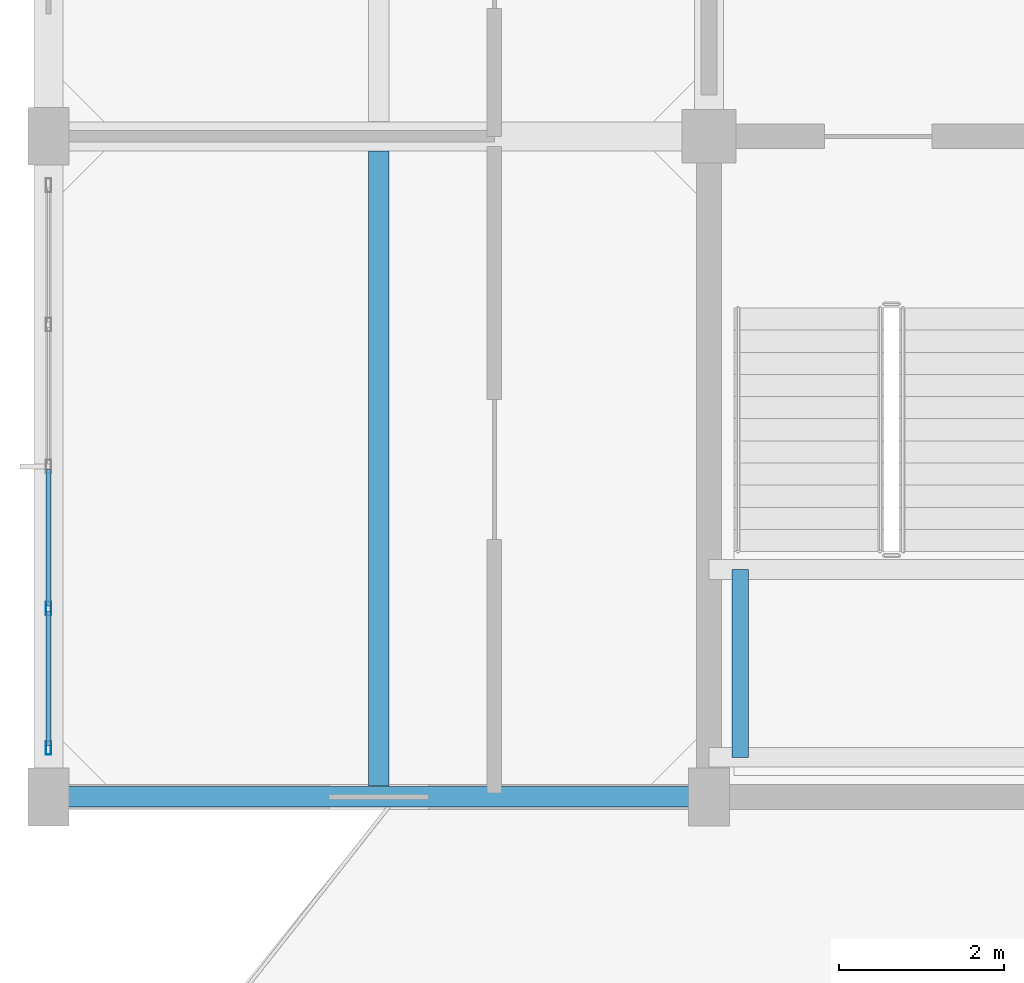
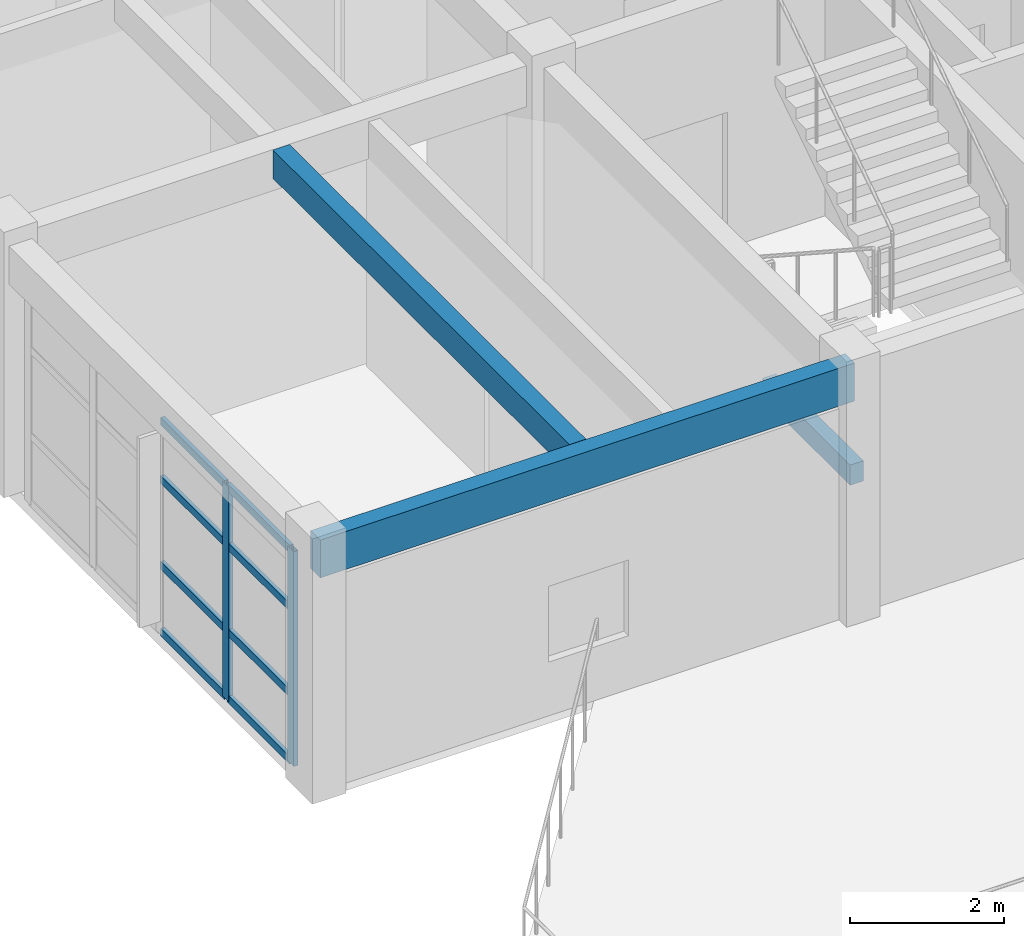
# One storey, part 2 of 20: 10 members, 3 beams, 1 element without a shape of its own.
"""IFC4 building model written with IfcOpenShell, lengths in metres."""

import ifcopenshell
import ifcopenshell.guid

model = None  # the IFC model being written
_history = None  # IfcOwnerHistory: only IFC2X3 demands one
_inside = {}  # id of a spatial element -> (the spatial element, [elements in it])
_under = {}  # id of a project, library or spatial element -> (it, [spatial elements below it])
_declared = {}  # id of a project -> (the project, [libraries it declares])
_typed = {}  # id of a type object -> (the type object, [elements of that type])
_made_of = {}  # id of a material, layer set ... -> (it, [elements and type objects made of it])


def new_model(schema):
    """Start an empty IFC model of exactly this schema.

    Asked for "IFC4X3", IfcOpenShell would pick the latest addendum, in which some entities
    have other attributes; the version numbers below select the first issue.
    IFC2X3 requires an IfcOwnerHistory on every rooted entity: one is made here for all.
    """
    global model, _history
    if schema == "IFC4X3":
        model = ifcopenshell.file(schema_version=(4, 3, 0, 0))
    else:
        model = ifcopenshell.file(schema=schema)
    _inside.clear()
    _under.clear()
    _declared.clear()
    _typed.clear()
    _made_of.clear()
    _history = None
    if model.schema == "IFC2X3":
        org = make("IfcOrganization", Name="unknown")
        user = make(
            "IfcPersonAndOrganization",
            ThePerson=make("IfcPerson", FamilyName="unknown"),
            TheOrganization=org,
        )
        app = make(
            "IfcApplication",
            ApplicationDeveloper=org,
            Version="unknown",
            ApplicationFullName="unknown",
            ApplicationIdentifier="unknown",
        )
        _history = make(
            "IfcOwnerHistory",
            OwningUser=user,
            OwningApplication=app,
            ChangeAction="ADDED",
            CreationDate=0,
        )
    return model


def make(cls, **values):
    """One entity of the class cls with the attributes given. An attribute that is None is left unset."""
    return model.create_entity(
        cls, **{name: value for name, value in values.items() if value is not None}
    )


def rooted(cls, **values):
    """An entity with a GlobalId (a new one), such as an element, a storey or a relation."""
    return make(cls, GlobalId=ifcopenshell.guid.new(), OwnerHistory=_history, **values)


def si_unit(unit_type, name, prefix=None):
    """IfcSIUnit, for example si_unit("LENGTHUNIT", "METRE", prefix="MILLI")."""
    return make("IfcSIUnit", UnitType=unit_type, Prefix=prefix, Name=name)


def assignment(units):
    """IfcUnitAssignment: the units of a project."""
    return None if units is None else make("IfcUnitAssignment", Units=units)


def point(xyz):
    """IfcCartesianPoint."""
    return None if xyz is None else make("IfcCartesianPoint", Coordinates=xyz)


def direction(xyz):
    """IfcDirection."""
    return None if xyz is None else make("IfcDirection", DirectionRatios=xyz)


def frame(location, z_axis=None, x_axis=None):
    """IfcAxis2Placement3D, a coordinate frame: its origin and axes. An axis left out is left unset."""
    return make(
        "IfcAxis2Placement3D",
        Location=point(location),
        Axis=direction(z_axis),
        RefDirection=direction(x_axis),
    )


def frame_2d(location, x_axis=None):
    """IfcAxis2Placement2D, a coordinate frame in the plane: its origin and x axis."""
    return make(
        "IfcAxis2Placement2D", Location=point(location), RefDirection=direction(x_axis)
    )


def origin():
    """The frame at (0, 0, 0) with its axes left unset."""
    return frame((0.0, 0.0, 0.0))


def origin_2d():
    """The frame at (0, 0) in the plane with its x axis left unset."""
    return frame_2d((0.0, 0.0))


def place(relative_to, where):
    """IfcLocalPlacement: puts the frame where relative to a parent placement (None: the world)."""
    return make(
        "IfcLocalPlacement", PlacementRelTo=relative_to, RelativePlacement=where
    )


def context(
    kind, dimensions, precision=None, world=None, true_north=None, identifier=None
):
    """IfcGeometricRepresentationContext, for example the 3D "Model" context."""
    return make(
        "IfcGeometricRepresentationContext",
        ContextIdentifier=identifier,
        ContextType=kind,
        CoordinateSpaceDimension=dimensions,
        Precision=precision,
        WorldCoordinateSystem=world,
        TrueNorth=true_north,
    )


def subcontext(parent, identifier, kind, view, scale=None):
    """IfcGeometricRepresentationSubContext, for example "Body" below "Model"."""
    return make(
        "IfcGeometricRepresentationSubContext",
        ContextIdentifier=identifier,
        ContextType=kind,
        ParentContext=parent,
        TargetScale=scale,
        TargetView=view,
    )


def project(units=None, contexts=None):
    """IfcProject with its units and contexts."""
    return rooted(
        "IfcProject",
        Name="project",
        RepresentationContexts=contexts,
        UnitsInContext=assignment(units),
    )


def spatial(cls, under=None, at=None, **own):
    """A site, building, storey or space (cls), placed at a placement, below another one or the project."""
    s = rooted(cls, ObjectPlacement=at, **own)
    if under is not None:
        _under.setdefault(under.id(), (under, []))[1].append(s)
    return s


def profile(cls, at=None, kind="AREA", **sizes):
    """A parametric profile (cls). Its sizes go by their IFC names, for example OverallWidth=200.0."""
    return make(cls, ProfileType=kind, Position=at, **sizes)


def rectangle(**sizes):
    """IfcRectangleProfileDef."""
    return profile("IfcRectangleProfileDef", **sizes)


def hollow_rectangle(**sizes):
    """IfcRectangleHollowProfileDef."""
    return profile("IfcRectangleHollowProfileDef", **sizes)


def extrude(swept, where, along, depth):
    """IfcExtrudedAreaSolid: the profile swept, set in the frame where, extruded along a direction by depth."""
    return make(
        "IfcExtrudedAreaSolid",
        SweptArea=swept,
        Position=where,
        ExtrudedDirection=direction(along),
        Depth=depth,
    )


def shape(context_of_items, identifier, shape_type, items):
    """IfcShapeRepresentation: the items that make up one representation, for example the "Body"."""
    return make(
        "IfcShapeRepresentation",
        ContextOfItems=context_of_items,
        RepresentationIdentifier=identifier,
        RepresentationType=shape_type,
        Items=items,
    )


def material(Name=None, Category=None):
    """IfcMaterial."""
    return make("IfcMaterial", Name=Name, Category=Category)


def layer(
    of_material, thickness, ventilated=None, Name=None, Category=None, Priority=None
):
    """IfcMaterialLayer: one layer of a wall or slab, of a material (None: an air gap)."""
    return make(
        "IfcMaterialLayer",
        Material=of_material,
        LayerThickness=thickness,
        IsVentilated=ventilated,
        Name=Name,
        Category=Category,
        Priority=Priority,
    )


def layer_set(layers, Name=None):
    """IfcMaterialLayerSet."""
    return make("IfcMaterialLayerSet", MaterialLayers=layers, LayerSetName=Name)


def material_profile(
    of_material, cross_section, Name=None, Category=None, Priority=None
):
    """IfcMaterialProfile: a cross section and its material."""
    return make(
        "IfcMaterialProfile",
        Name=Name,
        Material=of_material,
        Profile=cross_section,
        Priority=Priority,
        Category=Category,
    )


def profile_set(profiles, Name=None, composite=None):
    """IfcMaterialProfileSet."""
    return make(
        "IfcMaterialProfileSet",
        Name=Name,
        MaterialProfiles=profiles,
        CompositeProfile=composite,
    )


def made_of(thing, what):
    """Note that an element or type object is made of a material, layer set ...; save() writes the relation."""
    if what is not None:
        _made_of.setdefault(what.id(), (what, []))[1].append(thing)
    return thing


def type_object(cls, material=None, **own):
    """A type object (cls), such as IfcWallType, which elements share."""
    return made_of(rooted(cls, **own), material)


def element(
    cls,
    number,
    at=None,
    inside=None,
    cuts=None,
    type_object=None,
    material=None,
    context=None,
    identifier="Body",
    shape_type=None,
    held_by="IfcProductDefinitionShape",
    body=None,
    shapes=None,
    **own,
):
    """One element of the class cls, such as IfcWall. Its Tag is "e" and its number.

    at: its placement. inside: the storey or other place that contains it. cuts: it is an
    opening in that element (IfcRelVoidsElement). A single representation is given by context,
    identifier, shape_type and body (its items); several are given by shapes. held_by: the class
    of the entity that holds the representations. save() writes the other relations.
    """
    e = rooted(cls, Tag="e%d" % number, ObjectPlacement=at, **own)
    if body is not None:
        shapes = [shape(context, identifier, shape_type, body)]
    if shapes is not None:
        e.Representation = make(held_by, Representations=shapes)
    if inside is not None:
        _inside.setdefault(inside.id(), (inside, []))[1].append(e)
    if cuts is not None:
        rooted(
            "IfcRelVoidsElement", RelatingBuildingElement=cuts, RelatedOpeningElement=e
        )
    if type_object is not None:
        _typed.setdefault(type_object.id(), (type_object, []))[1].append(e)
    return made_of(e, material)


def aggregate(whole, parts):
    """IfcRelAggregates: a whole, such as a stair, and the parts it consists of."""
    return rooted("IfcRelAggregates", RelatingObject=whole, RelatedObjects=parts)


def save(model, path):
    """Write the relations noted so far, then the file.

    IfcRelAggregates (storeys below a building ...), IfcRelContainedInSpatialStructure (elements
    in a storey), IfcRelDefinesByType, IfcRelAssociatesMaterial and IfcRelDeclares: one each for
    every whole, place, type object, material and project.
    """
    for whole, parts in _under.values():
        aggregate(whole, parts)
    for where, things in _inside.values():
        rooted(
            "IfcRelContainedInSpatialStructure",
            RelatedElements=things,
            RelatingStructure=where,
        )
    for kind, things in _typed.values():
        rooted("IfcRelDefinesByType", RelatedObjects=things, RelatingType=kind)
    for what, things in _made_of.values():
        rooted("IfcRelAssociatesMaterial", RelatedObjects=things, RelatingMaterial=what)
    for by, libraries in _declared.values():
        rooted("IfcRelDeclares", RelatingContext=by, RelatedDefinitions=libraries)
    model.write(path)


model = new_model("IFC4")

# Units and contexts
model_context = context("Model", 3, precision=1e-05, world=origin(), true_north=direction((0.0, 1.0)))
body_context = subcontext(model_context, "Body", "Model", "MODEL_VIEW")
ifc_project = project(units=[si_unit("LENGTHUNIT", "METRE"), si_unit("AREAUNIT", "SQUARE_METRE"), si_unit("VOLUMEUNIT", "CUBIC_METRE"), si_unit("PLANEANGLEUNIT", "RADIAN"), si_unit("MASSUNIT", "GRAM", prefix="KILO")], contexts=[model_context])

# Site, building, storey
site_placement = place(None, origin())
site = spatial("IfcSite", under=ifc_project, at=site_placement, CompositionType="ELEMENT")
building_placement = place(site_placement, origin())
building = spatial("IfcBuilding", under=site, at=building_placement, Name="Canggui Botanical Conservatory", CompositionType="ELEMENT")
storey_placement = place(building_placement, frame((0.0, 0.0, 57.0)))
storey = spatial("IfcBuildingStorey", under=building, at=storey_placement, Name="L14", CompositionType="ELEMENT", Elevation=57.0)

# Beams
ifc_material_1 = material(Name="Concrete C35", Category="concrete")
ifc_material_profile_1 = material_profile(ifc_material_1, rectangle(XDim=0.25, YDim=0.449951171875, at=origin_2d()), Name="RB 250x450")
ifc_profile_set_1 = profile_set([ifc_material_profile_1], Name="Concrete C35")
beam_type_1 = type_object("IfcBeamType", Name="BM-JST05", PredefinedType="JOIST", material=ifc_profile_set_1)
beam_1_placement = place(storey_placement, frame((150.0, 42.1298828125, 3.735107421875), z_axis=(0.0, 1.0, 0.0), x_axis=(-1.0, 0.0, 0.0)))
element("IfcBeam", 1, at=beam_1_placement, inside=storey, type_object=beam_type_1, Name="Secondary Floor Joist L14-1-1", PredefinedType="JOIST", context=body_context, shape_type="SweptSolid", body=[
    extrude(rectangle(XDim=0.25, YDim=0.449951171875, at=origin_2d()), origin(), (0.0, 0.0, 1.0), 7.690185546875),
])
ifc_material_profile_2 = material_profile(ifc_material_1, rectangle(XDim=0.199951171875, YDim=0.320068359375, at=origin_2d()), Name="RB 200x320")
ifc_profile_set_2 = profile_set([ifc_material_profile_2], Name="Concrete C35")
beam_type_2 = type_object("IfcBeamType", Name="BM-LIN02", PredefinedType="LINTEL", material=ifc_profile_set_2)
beam_2_placement = place(storey_placement, frame((154.3798828125, 42.47998046875, 1.719970703125), z_axis=(0.0, 1.0, 0.0), x_axis=(-1.0, 0.0, 0.0)))
element("IfcBeam", 2, at=beam_2_placement, inside=storey, type_object=beam_type_2, Name="ST-T1 Half-Landing Edge Ledger L14-1.3", PredefinedType="LINTEL", context=body_context, shape_type="SweptSolid", body=[
    extrude(rectangle(XDim=0.199951171875, YDim=0.320068359375, at=origin_2d()), origin(), (0.0, 0.0, 1.0), 2.2724609375),
])
ifc_material_profile_3 = material_profile(ifc_material_1, rectangle(XDim=0.25, YDim=0.60009765625, at=origin_2d()), Name="RB 250x600")
ifc_profile_set_3 = profile_set([ifc_material_profile_3], Name="Concrete C35")
beam_type_3 = type_object("IfcBeamType", Name="BM-SPD02", PredefinedType="SPANDREL", material=ifc_profile_set_3)
beam_3_placement = place(storey_placement, frame((146.0, 42.0, 3.659912109375), z_axis=(1.0, 0.0, 0.0), x_axis=(0.0, 1.0, 0.0)))
element("IfcBeam", 3, at=beam_3_placement, inside=storey, type_object=beam_type_3, Name="Frame Girder L14 Y42-1", PredefinedType="SPANDREL", context=body_context, shape_type="SweptSolid", body=[
    extrude(rectangle(XDim=0.25, YDim=0.60009765625, at=origin_2d()), origin(), (0.0, 0.0, 1.0), 8.0),
])

# Curtain wall, members
ifc_material_2 = material(Name="Thermally Broken Aluminium", Category="aluminium")
ifc_layer = layer(ifc_material_2, 0.1650390625, Name="Thermally Broken Aluminium", Category="aluminium")
ifc_layer_set = layer_set([ifc_layer], Name="Thermally Broken Aluminium")
curtain_wall_type = type_object("IfcCurtainWallType", Name="CW-UNIT-B", PredefinedType="USERDEFINED", material=ifc_layer_set)
curtain_wall_placement = place(storey_placement, origin())
curtain_wall = element("IfcCurtainWall", 4, at=curtain_wall_placement, inside=storey, type_object=curtain_wall_type, Name="Facade Curtain Wall CW-TWR-L14-04", ObjectType="UNITISED CURTAIN WALL", PredefinedType="USERDEFINED")
ifc_material_profile_4 = material_profile(ifc_material_2, hollow_rectangle(XDim=0.06494140625, YDim=0.1650390625, WallThickness=0.00390625, at=origin_2d()), Name="CWM 65x165x4")
ifc_profile_set_4 = profile_set([ifc_material_profile_4], Name="Thermally Broken Aluminium")
member_type_1 = type_object("IfcMemberType", Name="CWM-02", PredefinedType="MULLION", material=ifc_profile_set_4)
member_1_placement = place(storey_placement, frame((146.0, 42.592529296875, 0.0), z_axis=(0.0, 0.0, 1.0), x_axis=(-1.0, 0.0, 0.0)))
member_1 = element("IfcMember", 5, at=member_1_placement, type_object=member_type_1, Name="CW-02 mullion 1", PredefinedType="MULLION", context=body_context, shape_type="SweptSolid", body=[
    extrude(hollow_rectangle(XDim=0.06494140625, YDim=0.1650390625, WallThickness=0.00390625, at=origin_2d()), origin(), (0.0, 0.0, 1.0), 3.39990234375),
])
member_2_placement = place(storey_placement, frame((146.0, 44.280029296875, 0.0), z_axis=(0.0, 0.0, 1.0), x_axis=(-1.0, 0.0, 0.0)))
member_2 = element("IfcMember", 6, at=member_2_placement, type_object=member_type_1, Name="CW-02 mullion 2", PredefinedType="MULLION", context=body_context, shape_type="SweptSolid", body=[
    extrude(hollow_rectangle(XDim=0.06494140625, YDim=0.1650390625, WallThickness=0.00390625, at=origin_2d()), origin(), (0.0, 0.0, 1.0), 3.39990234375),
])
ifc_material_profile_5 = material_profile(ifc_material_2, hollow_rectangle(XDim=0.06005859375, YDim=0.1201171875, WallThickness=0.00341796875, at=origin_2d()), Name="CWT 60x120x3.5")
ifc_profile_set_5 = profile_set([ifc_material_profile_5], Name="Thermally Broken Aluminium")
member_type_2 = type_object("IfcMemberType", Name="CWT-02", PredefinedType="USERDEFINED", material=ifc_profile_set_5)
member_3_placement = place(storey_placement, frame((146.0, 42.625, 0.030029296875), z_axis=(0.0, 1.0, 0.0), x_axis=(-1.0, 0.0, 0.0)))
member_3 = element("IfcMember", 7, at=member_3_placement, type_object=member_type_2, Name="CW-02 transom 1.1", ObjectType="TRANSOM", PredefinedType="USERDEFINED", context=body_context, shape_type="SweptSolid", body=[
    extrude(hollow_rectangle(XDim=0.06005859375, YDim=0.1201171875, WallThickness=0.00341796875, at=origin_2d()), origin(), (0.0, 0.0, 1.0), 1.62255859375),
])
member_4_placement = place(storey_placement, frame((146.0, 42.625, 1.087890625), z_axis=(0.0, 1.0, 0.0), x_axis=(-1.0, 0.0, 0.0)))
member_4 = element("IfcMember", 8, at=member_4_placement, type_object=member_type_2, Name="CW-02 transom 1.2", ObjectType="TRANSOM", PredefinedType="USERDEFINED", context=body_context, shape_type="SweptSolid", body=[
    extrude(hollow_rectangle(XDim=0.06005859375, YDim=0.1201171875, WallThickness=0.00341796875, at=origin_2d()), origin(), (0.0, 0.0, 1.0), 1.62255859375),
])
member_5_placement = place(storey_placement, frame((146.0, 42.625, 2.447998046875), z_axis=(0.0, 1.0, 0.0), x_axis=(-1.0, 0.0, 0.0)))
member_5 = element("IfcMember", 9, at=member_5_placement, type_object=member_type_2, Name="CW-02 transom 1.3", ObjectType="TRANSOM", PredefinedType="USERDEFINED", context=body_context, shape_type="SweptSolid", body=[
    extrude(hollow_rectangle(XDim=0.06005859375, YDim=0.1201171875, WallThickness=0.00341796875, at=origin_2d()), origin(), (0.0, 0.0, 1.0), 1.62255859375),
])
member_6_placement = place(storey_placement, frame((146.0, 42.625, 3.3701171875), z_axis=(0.0, 1.0, 0.0), x_axis=(-1.0, 0.0, 0.0)))
member_6 = element("IfcMember", 10, at=member_6_placement, type_object=member_type_2, Name="CW-02 transom 1.4", ObjectType="TRANSOM", PredefinedType="USERDEFINED", context=body_context, shape_type="SweptSolid", body=[
    extrude(hollow_rectangle(XDim=0.06005859375, YDim=0.1201171875, WallThickness=0.00341796875, at=origin_2d()), origin(), (0.0, 0.0, 1.0), 1.62255859375),
])
member_7_placement = place(storey_placement, frame((146.0, 44.3125, 0.030029296875), z_axis=(0.0, 1.0, 0.0), x_axis=(-1.0, 0.0, 0.0)))
member_7 = element("IfcMember", 11, at=member_7_placement, type_object=member_type_2, Name="CW-02 transom 2.1", ObjectType="TRANSOM", PredefinedType="USERDEFINED", context=body_context, shape_type="SweptSolid", body=[
    extrude(hollow_rectangle(XDim=0.06005859375, YDim=0.1201171875, WallThickness=0.00341796875, at=origin_2d()), origin(), (0.0, 0.0, 1.0), 1.655029296875),
])
member_8_placement = place(storey_placement, frame((146.0, 44.3125, 1.087890625), z_axis=(0.0, 1.0, 0.0), x_axis=(-1.0, 0.0, 0.0)))
member_8 = element("IfcMember", 12, at=member_8_placement, type_object=member_type_2, Name="CW-02 transom 2.2", ObjectType="TRANSOM", PredefinedType="USERDEFINED", context=body_context, shape_type="SweptSolid", body=[
    extrude(hollow_rectangle(XDim=0.06005859375, YDim=0.1201171875, WallThickness=0.00341796875, at=origin_2d()), origin(), (0.0, 0.0, 1.0), 1.655029296875),
])
member_9_placement = place(storey_placement, frame((146.0, 44.3125, 2.447998046875), z_axis=(0.0, 1.0, 0.0), x_axis=(-1.0, 0.0, 0.0)))
member_9 = element("IfcMember", 13, at=member_9_placement, type_object=member_type_2, Name="CW-02 transom 2.3", ObjectType="TRANSOM", PredefinedType="USERDEFINED", context=body_context, shape_type="SweptSolid", body=[
    extrude(hollow_rectangle(XDim=0.06005859375, YDim=0.1201171875, WallThickness=0.00341796875, at=origin_2d()), origin(), (0.0, 0.0, 1.0), 1.655029296875),
])
member_10_placement = place(storey_placement, frame((146.0, 44.3125, 3.3701171875), z_axis=(0.0, 1.0, 0.0), x_axis=(-1.0, 0.0, 0.0)))
member_10 = element("IfcMember", 14, at=member_10_placement, type_object=member_type_2, Name="CW-02 transom 2.4", ObjectType="TRANSOM", PredefinedType="USERDEFINED", context=body_context, shape_type="SweptSolid", body=[
    extrude(hollow_rectangle(XDim=0.06005859375, YDim=0.1201171875, WallThickness=0.00341796875, at=origin_2d()), origin(), (0.0, 0.0, 1.0), 1.655029296875),
])
aggregate(curtain_wall, [member_1, member_2, member_3, member_4, member_5, member_6, member_7, member_8, member_9, member_10])

save(model, "model.ifc")
